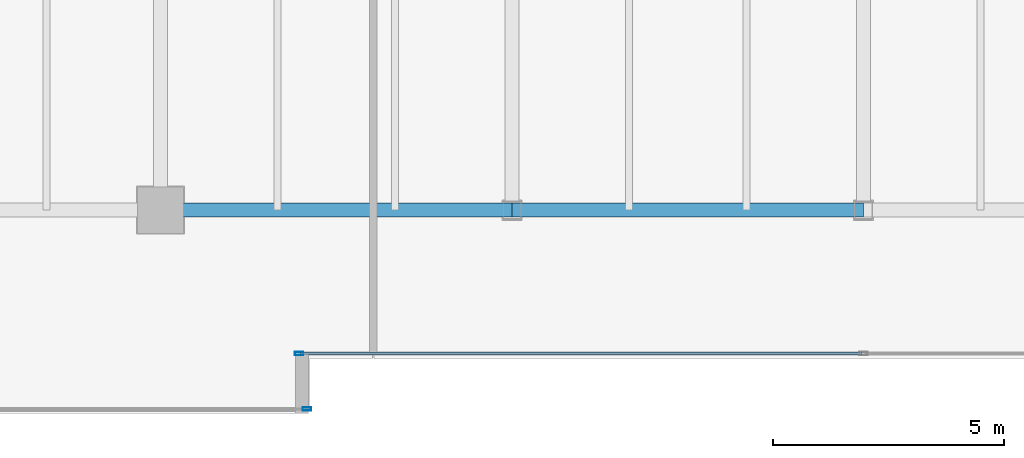
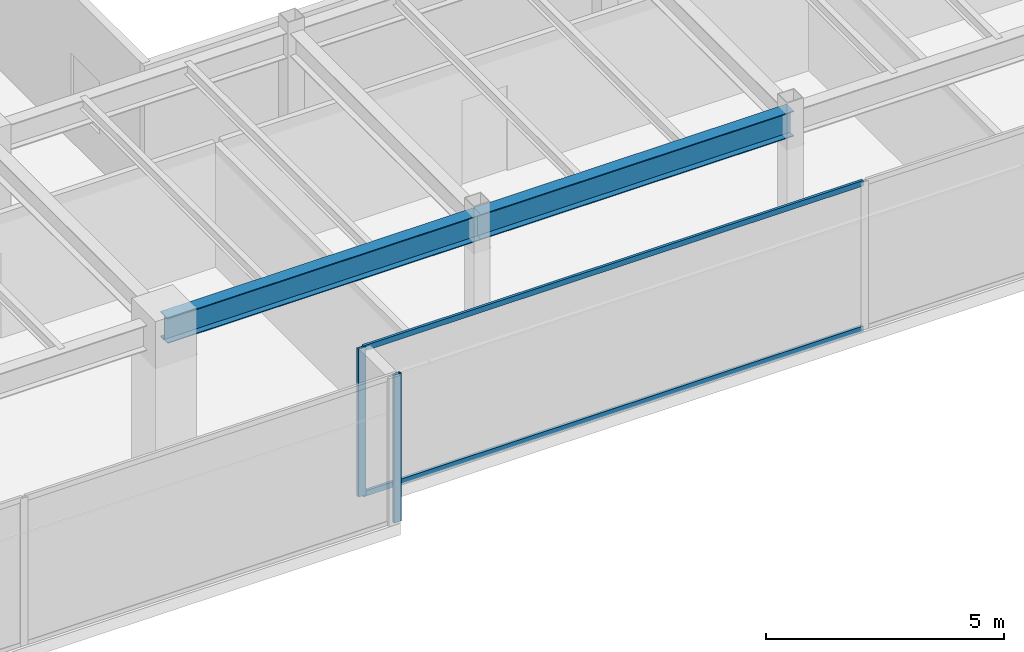
# One storey, part 7 of 35: 4 members, 2 beams, 2 elements without a shape of their own.
"""IFC4 building model written with IfcOpenShell, lengths in metres."""

from ifc_helpers import new_model, si_unit, direction, frame, origin, origin_2d, place, context, subcontext, project, spatial, hollow_rectangle, i_section, extrude, source, transform, mapped, material, layer, layer_set, material_profile, profile_set, type_object, type_shapes, element, aggregate, save


model = new_model("IFC4")

# Units and contexts
model_context = context("Model", 3, precision=1e-05, world=origin(), true_north=direction((0.0, 1.0)))
body_context = subcontext(model_context, "Body", "Model", "MODEL_VIEW")
ifc_project = project(units=[si_unit("LENGTHUNIT", "METRE"), si_unit("AREAUNIT", "SQUARE_METRE"), si_unit("VOLUMEUNIT", "CUBIC_METRE"), si_unit("PLANEANGLEUNIT", "RADIAN"), si_unit("MASSUNIT", "GRAM", prefix="KILO")], contexts=[model_context])

# Site, building, storey
site_placement = place(None, origin())
site = spatial("IfcSite", under=ifc_project, at=site_placement, CompositionType="ELEMENT")
building_placement = place(site_placement, origin())
building = spatial("IfcBuilding", under=site, at=building_placement, Name="Haelvirn Gate Laboratories", CompositionType="ELEMENT")
storey_placement = place(building_placement, frame((0.0, 0.0, 221.89990234375)))
storey = spatial("IfcBuildingStorey", under=building, at=storey_placement, Name="L53", CompositionType="ELEMENT", Elevation=221.89990234375)

# Beams
ifc_material_1 = material(Name="Steel SM355", Category="steel")
ifc_material_profile_1 = material_profile(ifc_material_1, i_section(OverallWidth=0.300048828125, OverallDepth=0.64990234375, WebThickness=0.012939453125, FlangeThickness=0.02197265625, at=origin_2d()), Name="H-650x300x13x22")
ifc_profile_set_1 = profile_set([ifc_material_profile_1], Name="Steel SM355")
beam_type = type_object("IfcBeamType", Name="BM-G-650", PredefinedType="BEAM", material=ifc_profile_set_1)
shared_shape_1 = source(origin(), body_context, "Body", "SweptSolid", [
    extrude(i_section(OverallWidth=0.300048828125, OverallDepth=0.64990234375, WebThickness=0.012939453125, FlangeThickness=0.02197265625, at=origin_2d()), origin(), (0.0, 0.0, 1.0), 7.60009765625),
])
beam_1_placement = place(storey_placement, frame((22.199951171875, 7.0, 3.47509765625), z_axis=(1.0, 0.0, 0.0), x_axis=(0.0, 1.0, 0.0)))
element("IfcBeam", 1, at=beam_1_placement, inside=storey, type_object=beam_type, Name="L53 Primary Girder Y7.0 (22.2-29.8)", PredefinedType="BEAM", context=body_context, shape_type="MappedRepresentation", body=[
    mapped(shared_shape_1, transform((0.0, 0.0, 0.0), scale=1.0)),
])
shared_shape_2 = source(origin(), body_context, "Body", "SweptSolid", [
    extrude(i_section(OverallWidth=0.300048828125, OverallDepth=0.64990234375, WebThickness=0.012939453125, FlangeThickness=0.02197265625, at=origin_2d()), origin(), (0.0, 0.0, 1.0), 7.599853515625),
])
type_shapes(beam_type, [shared_shape_1, shared_shape_2])
beam_2_placement = place(storey_placement, frame((29.800048828125, 7.0, 3.47509765625), z_axis=(1.0, 0.0, 0.0), x_axis=(0.0, 1.0, 0.0)))
element("IfcBeam", 2, at=beam_2_placement, inside=storey, type_object=beam_type, Name="L53 Primary Girder Y7.0 (29.8-37.4)", PredefinedType="BEAM", context=body_context, shape_type="MappedRepresentation", body=[
    mapped(shared_shape_2, transform((0.0, 0.0, 0.0), scale=1.0)),
])

# Curtain wall, members
ifc_material_2 = material(Name="Anodised bronze unitised aluminium & triple low-E glass", Category="aluminium")
ifc_layer = layer(ifc_material_2, 0.176025390625, Name="CW-SYS-4")
ifc_layer_set = layer_set([ifc_layer], Name="Anodised bronze unitised aluminium & triple low-E glass")
curtain_wall_type = type_object("IfcCurtainWallType", Name="CW-SYS-4", PredefinedType="NOTDEFINED", material=ifc_layer_set)
curtain_wall_1_placement = place(storey_placement, origin())
curtain_wall_1 = element("IfcCurtainWall", 3, at=curtain_wall_1_placement, inside=storey, type_object=curtain_wall_type, Name="L53 Unitised Curtain Wall CW-L53-P0-E02-1", PredefinedType="NOTDEFINED")
ifc_material_3 = material(Name="Extruded aluminium 6063-T6 (anodised bronze)", Category="aluminium")
ifc_material_profile_2 = material_profile(ifc_material_3, hollow_rectangle(XDim=0.06494140625, YDim=0.139892578125, WallThickness=0.00390625, at=origin_2d()), Name="CWT-140x65x4")
ifc_profile_set_2 = profile_set([ifc_material_profile_2], Name="Extruded aluminium 6063-T6 (anodised bronze)")
member_type_1 = type_object("IfcMemberType", Name="CWT-T140", PredefinedType="USERDEFINED", material=ifc_profile_set_2)
shared_shape_3 = source(origin(), body_context, "Body", "SweptSolid", [
    extrude(hollow_rectangle(XDim=0.06494140625, YDim=0.139892578125, WallThickness=0.00390625, at=origin_2d()), origin(), (0.0, 0.0, 1.0), 12.135009765625),
])
type_shapes(member_type_1, [shared_shape_3])
member_1_placement = place(storey_placement, frame((25.22998046875, 3.89990234375, 0.03271484375), z_axis=(1.0, 0.0, 0.0), x_axis=(0.0, 1.0, 0.0)))
member_1 = element("IfcMember", 4, at=member_1_placement, type_object=member_type_1, Name="CW4 transom 1.1", ObjectType="TRANSOM", PredefinedType="USERDEFINED", context=body_context, shape_type="MappedRepresentation", body=[
    mapped(shared_shape_3, transform((0.0, 0.0, 0.0), scale=1.0)),
])
member_2_placement = place(storey_placement, frame((25.22998046875, 3.89990234375, 3.767578125), z_axis=(1.0, 0.0, 0.0), x_axis=(0.0, 1.0, 0.0)))
member_2 = element("IfcMember", 5, at=member_2_placement, type_object=member_type_1, Name="CW4 transom 1.2", ObjectType="TRANSOM", PredefinedType="USERDEFINED", context=body_context, shape_type="MappedRepresentation", body=[
    mapped(shared_shape_3, transform((0.0, 0.0, 0.0), scale=1.0)),
])

# Curtain wall, member
curtain_wall_2_placement = place(storey_placement, origin())
curtain_wall_2 = element("IfcCurtainWall", 6, at=curtain_wall_2_placement, inside=storey, type_object=curtain_wall_type, Name="L53 Unitised Curtain Wall CW-L53-P0-E00-1", PredefinedType="NOTDEFINED")
ifc_material_profile_3 = material_profile(ifc_material_3, hollow_rectangle(XDim=0.070068359375, YDim=0.179931640625, WallThickness=0.0048828125, at=origin_2d()), Name="CWM-180x70x5")
ifc_profile_set_3 = profile_set([ifc_material_profile_3], Name="Extruded aluminium 6063-T6 (anodised bronze)")
member_type_2 = type_object("IfcMemberType", Name="CWM-T180", PredefinedType="MULLION", material=ifc_profile_set_3)
shared_shape_4 = source(origin(), body_context, "Body", "SweptSolid", [
    extrude(hollow_rectangle(XDim=0.070068359375, YDim=0.179931640625, WallThickness=0.0048828125, at=origin_2d()), origin(), (0.0, 0.0, 1.0), 3.800048828125),
])
type_shapes(member_type_2, [shared_shape_4])
member_3_placement = place(storey_placement, frame((25.364990234375, 2.699951171875, 0.0), z_axis=(0.0, 0.0, 1.0), x_axis=(0.0, 1.0, 0.0)))
member_3 = element("IfcMember", 7, at=member_3_placement, type_object=member_type_2, Name="CW4 mullion 3", PredefinedType="MULLION", context=body_context, shape_type="MappedRepresentation", body=[
    mapped(shared_shape_4, transform((0.0, 0.0, 0.0), scale=1.0)),
])
aggregate(curtain_wall_2, [member_3])

# Member
member_4_placement = place(storey_placement, frame((25.195068359375, 3.89990234375, 0.0), z_axis=(0.0, 0.0, 1.0), x_axis=(0.0, 1.0, 0.0)))
member_4 = element("IfcMember", 8, at=member_4_placement, type_object=member_type_2, Name="CW4 mullion 1", PredefinedType="MULLION", context=body_context, shape_type="MappedRepresentation", body=[
    mapped(shared_shape_4, transform((0.0, 0.0, 0.0), scale=1.0)),
])

aggregate(curtain_wall_1, [member_4, member_1, member_2])

save(model, "model.ifc")
